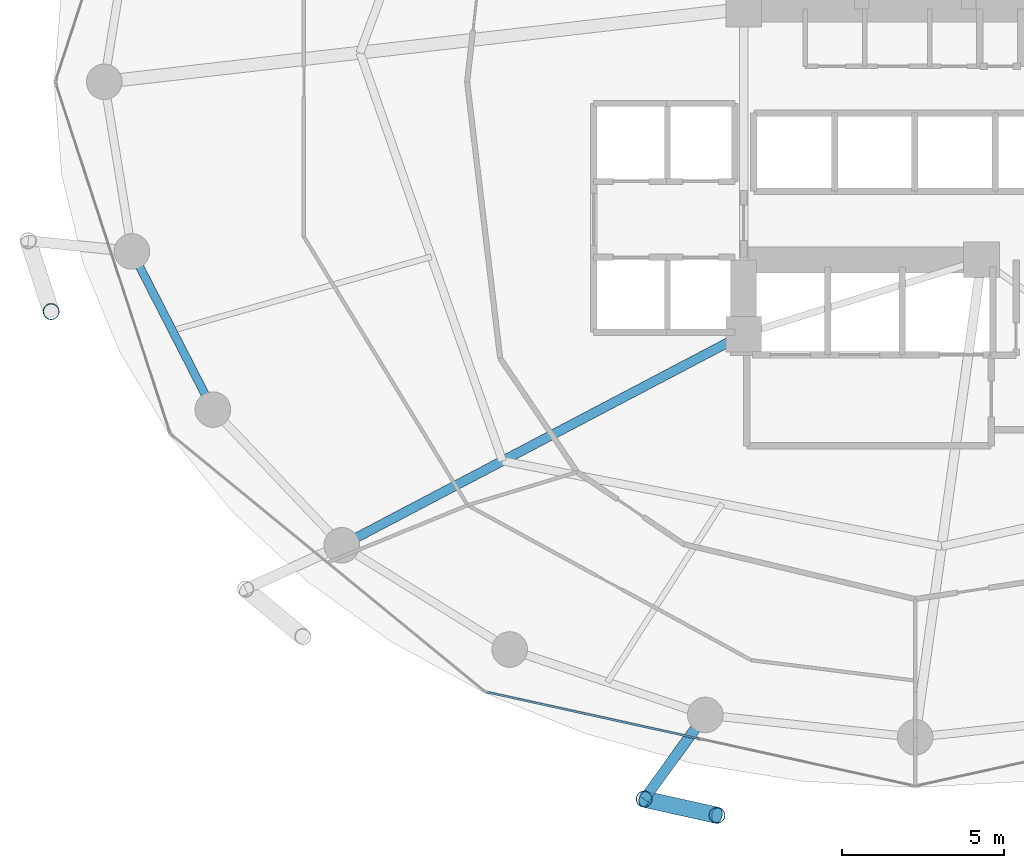
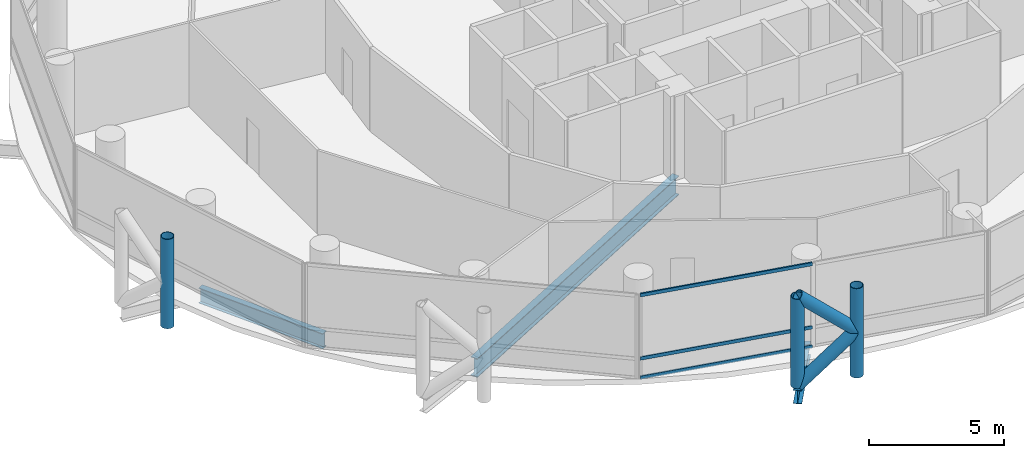
# One storey, part 3 of 25: 8 members, 3 beams, 1 element without a shape of its own.
"""IFC4 building model written with IfcOpenShell, lengths in metres."""

from ifc_helpers import new_model, si_unit, direction, frame, origin, origin_2d, place, context, subcontext, project, spatial, hollow_rectangle, hollow_circle, i_section, extrude, material, layer, layer_set, material_profile, profile_set, type_object, element, aggregate, save


model = new_model("IFC4")

# Units and contexts
model_context = context("Model", 3, precision=1e-05, world=origin(), true_north=direction((0.0, 1.0)))
body_context = subcontext(model_context, "Body", "Model", "MODEL_VIEW")
ifc_project = project(units=[si_unit("LENGTHUNIT", "METRE"), si_unit("AREAUNIT", "SQUARE_METRE"), si_unit("VOLUMEUNIT", "CUBIC_METRE"), si_unit("PLANEANGLEUNIT", "RADIAN"), si_unit("MASSUNIT", "GRAM", prefix="KILO")], contexts=[model_context])

# Site, building, storey
site_placement = place(None, origin())
site = spatial("IfcSite", under=ifc_project, at=site_placement, CompositionType="ELEMENT")
building_placement = place(site_placement, origin())
building = spatial("IfcBuilding", under=site, at=building_placement, Name="Nuhasar Tower", CompositionType="ELEMENT")
storey_placement = place(building_placement, frame((0.0, 0.0, 57.449951171875)))
storey = spatial("IfcBuildingStorey", under=building, at=storey_placement, Name="L13", CompositionType="ELEMENT", Elevation=57.449951171875)

# Beams
ifc_material_1 = material(Name="Steel S355", Category="steel")
ifc_material_profile_1 = material_profile(ifc_material_1, i_section(OverallWidth=0.2919921875, OverallDepth=0.85888671875, WebThickness=0.01708984375, FlangeThickness=0.031005859375, at=origin_2d()), Name="W33X169")
ifc_profile_set_1 = profile_set([ifc_material_profile_1], Name="Steel S355")
beam_type_1 = type_object("IfcBeamType", Name="BM-POD-W33X169", PredefinedType="BEAM", material=ifc_profile_set_1)
beam_1_placement = place(storey_placement, frame((33.699951171875, 19.0, -0.678955078125), z_axis=(-0.885330348705, -0.464962550816, 0.0), x_axis=(0.464962550816, -0.885330348705, 0.0)))
element("IfcBeam", 1, at=beam_1_placement, inside=storey, type_object=beam_type_1, Name="L13 Radial Floor Girder 01", PredefinedType="BEAM", context=body_context, shape_type="SweptSolid", body=[
    extrude(i_section(OverallWidth=0.2919921875, OverallDepth=0.85888671875, WebThickness=0.01708984375, FlangeThickness=0.031005859375, at=origin_2d()), origin(), (0.0, 0.0, 1.0), 14.0205078125),
])
ifc_material_profile_2 = material_profile(ifc_material_1, i_section(OverallWidth=0.256103515625, OverallDepth=0.693115234375, WebThickness=0.014404296875, FlangeThickness=0.023681640625, at=origin_2d()), Name="W27X114")
ifc_profile_set_2 = profile_set([ifc_material_profile_2], Name="Steel S355")
beam_type_2 = type_object("IfcBeamType", Name="BM-RING-W27X114", PredefinedType="SPANDREL", material=ifc_profile_set_2)
beam_2_placement = place(storey_placement, frame((14.803955078125, 21.55908203125, -0.595947265625), z_axis=(0.455930023905, -0.890015625314, 0.0), x_axis=(0.890015625314, 0.455930023905, 0.0)))
element("IfcBeam", 2, at=beam_2_placement, inside=storey, type_object=beam_type_2, Name="L13 Perimeter Ring Spandrel 14", PredefinedType="SPANDREL", context=body_context, shape_type="SweptSolid", body=[
    extrude(i_section(OverallWidth=0.256103515625, OverallDepth=0.693115234375, WebThickness=0.014404296875, FlangeThickness=0.023681640625, at=origin_2d()), origin(), (0.0, 0.0, 1.0), 5.487548828125),
])
ifc_material_profile_3 = material_profile(ifc_material_1, i_section(OverallWidth=0.323974609375, OverallDepth=0.611083984375, WebThickness=0.0126953125, FlangeThickness=0.01904296875, at=origin_2d()), Name="W24X104")
ifc_profile_set_3 = profile_set([ifc_material_profile_3], Name="Steel S355")
beam_type_3 = type_object("IfcBeamType", Name="BM-TIE-W24X104", PredefinedType="BEAM", material=ifc_profile_set_3)
beam_3_placement = place(storey_placement, frame((32.51708984375, 7.239990234375, -0.554931640625), z_axis=(-0.587403316448, -0.809294349311, 0.0), x_axis=(0.809294349311, -0.587403316448, 0.0)))
element("IfcBeam", 3, at=beam_3_placement, inside=storey, type_object=beam_type_3, Name="L13 Exoskeleton Node Tie Beam 09", PredefinedType="BEAM", context=body_context, shape_type="SweptSolid", body=[
    extrude(i_section(OverallWidth=0.323974609375, OverallDepth=0.611083984375, WebThickness=0.0126953125, FlangeThickness=0.01904296875, at=origin_2d()), origin(), (0.0, 0.0, 1.0), 3.212890625),
])

# Curtain wall, members
ifc_material_2 = material(Name="Aluminium 6063-T6", Category="aluminium")
ifc_layer = layer(ifc_material_2, 0.199951171875)
ifc_layer_set = layer_set([ifc_layer], Name="Aluminium 6063-T6")
curtain_wall_type = type_object("IfcCurtainWallType", Name="CW-Z1-OFF", PredefinedType="NOTDEFINED", material=ifc_layer_set)
curtain_wall_placement = place(storey_placement, origin())
curtain_wall = element("IfcCurtainWall", 4, at=curtain_wall_placement, inside=storey, type_object=curtain_wall_type, Name="L13 Unitised Curtain Wall 09", PredefinedType="NOTDEFINED")
ifc_material_profile_4 = material_profile(ifc_material_2, hollow_rectangle(XDim=0.06494140625, YDim=0.14990234375, WallThickness=0.00439453125, at=origin_2d()), Name="CWT-2")
ifc_profile_set_4 = profile_set([ifc_material_profile_4], Name="Aluminium 6063-T6")
member_type_1 = type_object("IfcMemberType", Name="CW-TRN-S2", PredefinedType="USERDEFINED", material=ifc_profile_set_4)
member_1_placement = place(storey_placement, frame((25.783447265625, 7.941162109375, 0.032470703125), z_axis=(0.976741923778, -0.214418316228, 0.0), x_axis=(0.214418316228, 0.976741923778, 0.0)))
member_1 = element("IfcMember", 5, at=member_1_placement, type_object=member_type_1, Name="CW-Z1 transom 1.1", ObjectType="TRANSOM", PredefinedType="USERDEFINED", context=body_context, shape_type="SweptSolid", body=[
    extrude(hollow_rectangle(XDim=0.06494140625, YDim=0.14990234375, WallThickness=0.00439453125, at=origin_2d()), origin(), (0.0, 0.0, 1.0), 6.70068359375),
])
member_2_placement = place(storey_placement, frame((25.783447265625, 7.941162109375, 0.900146484375), z_axis=(0.976741923778, -0.214418316228, 0.0), x_axis=(0.214418316228, 0.976741923778, 0.0)))
member_2 = element("IfcMember", 6, at=member_2_placement, type_object=member_type_1, Name="CW-Z1 transom 1.2", ObjectType="TRANSOM", PredefinedType="USERDEFINED", context=body_context, shape_type="SweptSolid", body=[
    extrude(hollow_rectangle(XDim=0.06494140625, YDim=0.14990234375, WallThickness=0.00439453125, at=origin_2d()), origin(), (0.0, 0.0, 1.0), 6.70068359375),
])
member_3_placement = place(storey_placement, frame((25.783447265625, 7.941162109375, 3.767578125), z_axis=(0.976741923778, -0.214418316228, 0.0), x_axis=(0.214418316228, 0.976741923778, 0.0)))
member_3 = element("IfcMember", 7, at=member_3_placement, type_object=member_type_1, Name="CW-Z1 transom 1.3", ObjectType="TRANSOM", PredefinedType="USERDEFINED", context=body_context, shape_type="SweptSolid", body=[
    extrude(hollow_rectangle(XDim=0.06494140625, YDim=0.14990234375, WallThickness=0.00439453125, at=origin_2d()), origin(), (0.0, 0.0, 1.0), 6.70068359375),
])
aggregate(curtain_wall, [member_1, member_2, member_3])

# Members
ifc_material_3 = material(Name="Steel S460", Category="steel")
ifc_material_profile_5 = material_profile(ifc_material_3, hollow_circle(Radius=0.25390625, WallThickness=0.025390625, at=origin_2d()), Name="HSS508X25.4")
ifc_profile_set_5 = profile_set([ifc_material_profile_5], Name="Steel S460")
member_type_2 = type_object("IfcMemberType", Name="EXO-BRONZE-508", PredefinedType="BRACE", material=ifc_profile_set_5)
for number, where, z_axis, x_axis, name in (
    (8, (12.30810546875, 19.700927734375, 0.0), (0.0, 0.0, 1.0), (1.0, 0.0, 0.0), "L13 Exoskeleton Chord Column EC-07B"),
    (9, (30.6298828125, 4.639892578125, 0.0), (0.0, 0.0, 1.0), (1.0, 0.0, 0.0), "L13 Exoskeleton Chord Column EC-09A"),
    (10, (32.8759765625, 4.14111328125, 0.0), (0.0, 0.0, 1.0), (1.0, 0.0, 0.0), "L13 Exoskeleton Chord Column EC-09B"),
):
    element("IfcMember", number, at=place(storey_placement, frame(where, z_axis=z_axis, x_axis=x_axis)), inside=storey, type_object=member_type_2, Name=name, PredefinedType="BRACE", context=body_context, shape_type="SweptSolid", body=[
        extrude(hollow_circle(Radius=0.25390625, WallThickness=0.025390625, at=origin_2d()), origin(), (0.0, 0.0, 1.0), 4.050048828125),
    ])
member_4_placement = place(storey_placement, frame((30.6298828125, 4.639892578125, 0.0), z_axis=(0.732792408767, -0.162727705556, 0.660707938122), x_axis=(0.216784396973, 0.976219506683, 0.0)))
element("IfcMember", 11, at=member_4_placement, inside=storey, type_object=member_type_2, Name="L13 Bronze Diagrid Brace W1-09", PredefinedType="BRACE", context=body_context, shape_type="SweptSolid", body=[
    extrude(hollow_circle(Radius=0.25390625, WallThickness=0.025390625, at=origin_2d()), origin(), (0.0, 0.0, 1.0), 3.065185546875),
])
member_5_placement = place(storey_placement, frame((32.8759765625, 4.14111328125, 2.025146484375), z_axis=(-0.732830973624, 0.162736269469, 0.66066305383), x_axis=(-0.216784396973, -0.976219506683, 0.0)))
element("IfcMember", 12, at=member_5_placement, inside=storey, type_object=member_type_2, Name="L13 Bronze Diagrid Brace W2-09", PredefinedType="BRACE", context=body_context, shape_type="SweptSolid", body=[
    extrude(hollow_circle(Radius=0.25390625, WallThickness=0.025390625, at=origin_2d()), origin(), (0.0, 0.0, 1.0), 3.06494140625),
])

save(model, "model.ifc")
